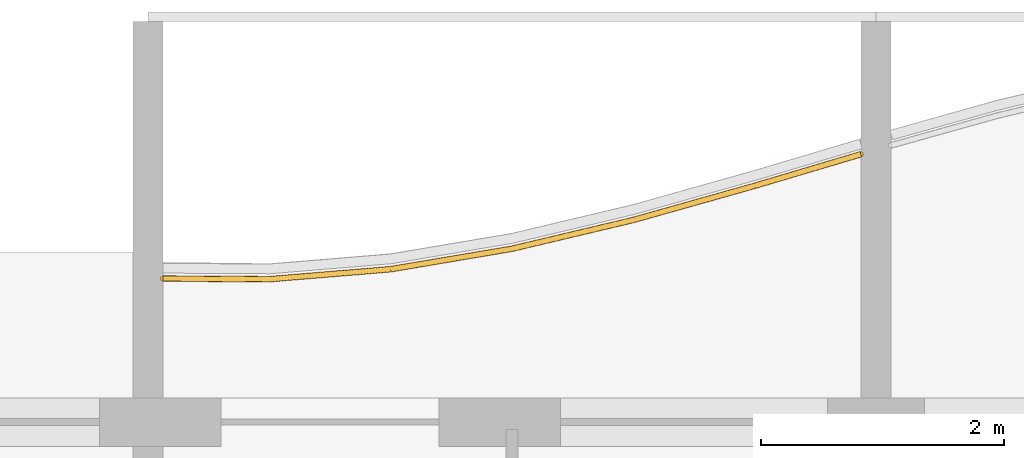
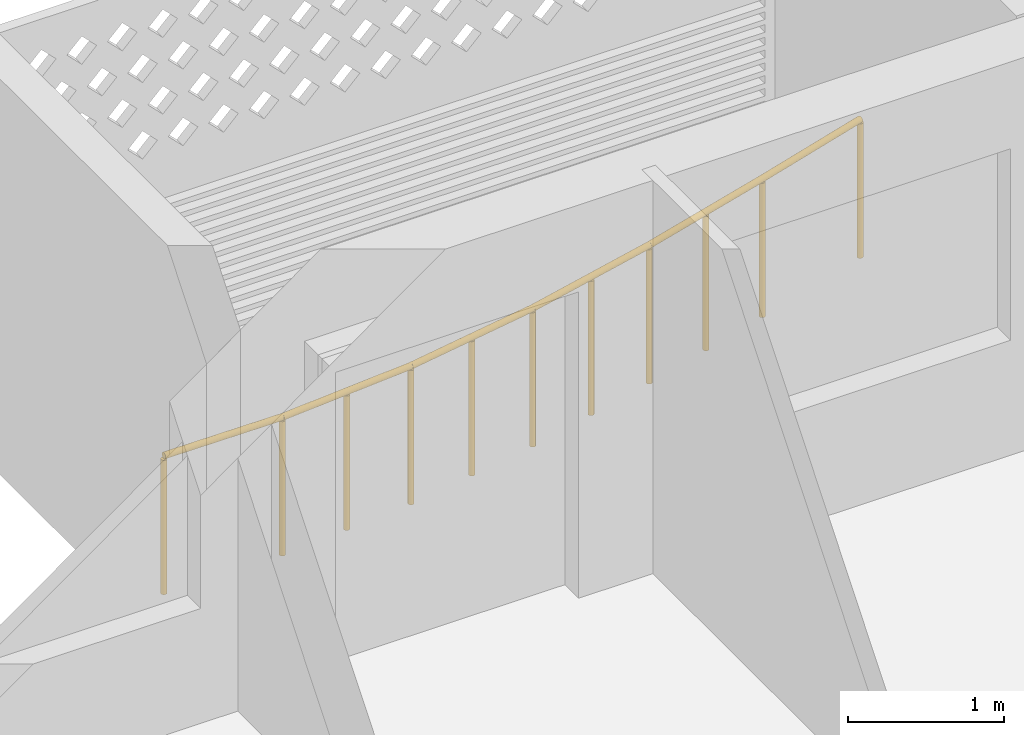
# One storey, part 23 of 26: 1 railing.
"""IFC4 building model written with IfcOpenShell, lengths in metres."""

from ifc_helpers import new_model, si_unit, direction, frame, origin, origin_2d, place, context, subcontext, project, spatial, circle, extrude, material, type_object, element, save


model = new_model("IFC4")

# Units and contexts
model_context = context("Model", 3, precision=1e-05, world=origin(), true_north=direction((0.0, 1.0)))
body_context = subcontext(model_context, "Body", "Model", "MODEL_VIEW")
ifc_project = project(units=[si_unit("LENGTHUNIT", "METRE"), si_unit("AREAUNIT", "SQUARE_METRE"), si_unit("VOLUMEUNIT", "CUBIC_METRE"), si_unit("PLANEANGLEUNIT", "RADIAN"), si_unit("MASSUNIT", "GRAM", prefix="KILO")], contexts=[model_context])

# Site, building, storey
site_placement = place(None, origin())
site = spatial("IfcSite", under=ifc_project, at=site_placement, CompositionType="ELEMENT")
building_placement = place(site_placement, origin())
building = spatial("IfcBuilding", under=site, at=building_placement, Name="Poui Terraces", CompositionType="ELEMENT")
storey_placement = place(building_placement, frame((0.0, 0.0, 171.89990234375)))
storey = spatial("IfcBuildingStorey", under=building, at=storey_placement, Name="L47", CompositionType="ELEMENT", Elevation=171.89990234375)

# Railing
ifc_material = material(Name="Painted steel fretwork", Category="steel")
railing_type = type_object("IfcRailingType", Name="BALCONY GUARD 1100", PredefinedType="GUARDRAIL", material=ifc_material)
railing_placement = place(storey_placement, frame((66.125, 42.382080078125, 0.0)))
element("IfcRailing", 1, at=railing_placement, inside=storey, type_object=railing_type, Name="BALCONY GUARD", PredefinedType="GUARDRAIL", context=body_context, shape_type="SweptSolid", body=[
    extrude(circle(Radius=0.02392578125, at=origin_2d()), frame((0.0, 0.0, 1.076171875), z_axis=(0.999981160599, -0.006138277213, 0.0), x_axis=(0.006138277213, 0.999981160599, 0.0)), (0.0, 0.0, 1.0), 0.875),
    extrude(circle(Radius=0.02392578125, at=origin_2d()), frame((0.875, -0.00537109375, 1.076171875), z_axis=(0.99661255374, 0.082240000773, 0.0), x_axis=(-0.082240000773, 0.99661255374, 0.0)), (0.0, 0.0, 1.0), 1.00341796875),
    extrude(circle(Radius=0.02392578125, at=origin_2d()), frame((1.875, 0.0771484375, 1.076171875), z_axis=(0.986066669641, 0.166350602715, 0.0), x_axis=(-0.166350602715, 0.986066669641, 0.0)), (0.0, 0.0, 1.0), 1.01416015625),
    extrude(circle(Radius=0.02392578125, at=origin_2d()), frame((2.875, 0.245849609375, 1.076171875), z_axis=(0.973032599544, 0.230667640175, 0.0), x_axis=(-0.230667640175, 0.973032599544, 0.0)), (0.0, 0.0, 1.0), 1.02783203125),
    extrude(circle(Radius=0.02392578125, at=origin_2d()), frame((3.875, 0.48291015625, 1.076171875), z_axis=(0.962589664763, 0.270963350457, 0.0), x_axis=(-0.270963350457, 0.962589664763, 0.0)), (0.0, 0.0, 1.0), 1.038818359375),
    extrude(circle(Radius=0.02392578125, at=origin_2d()), frame((4.875, 0.764404296875, 1.076171875), z_axis=(0.958573864065, 0.28484407512, 0.0), x_axis=(-0.28484407512, 0.958573864065, 0.0)), (0.0, 0.0, 1.0), 0.912841796875),
    extrude(circle(Radius=0.02099609375, at=origin_2d()), origin(), (0.0, 0.0, 1.0), 1.052001953125),
    extrude(circle(Radius=0.02099609375, at=origin_2d()), frame((0.875, -0.00537109375, 0.0)), (0.0, 0.0, 1.0), 1.052001953125),
    extrude(circle(Radius=0.02099609375, at=origin_2d()), frame((1.375, 0.035888671875, 0.0)), (0.0, 0.0, 1.0), 1.052001953125),
    extrude(circle(Radius=0.02099609375, at=origin_2d()), frame((1.875, 0.0771484375, 0.0)), (0.0, 0.0, 1.0), 1.052001953125),
    extrude(circle(Radius=0.02099609375, at=origin_2d()), frame((2.375, 0.16162109375, 0.0)), (0.0, 0.0, 1.0), 1.052001953125),
    extrude(circle(Radius=0.02099609375, at=origin_2d()), frame((2.875, 0.245849609375, 0.0)), (0.0, 0.0, 1.0), 1.052001953125),
    extrude(circle(Radius=0.02099609375, at=origin_2d()), frame((3.375, 0.3642578125, 0.0)), (0.0, 0.0, 1.0), 1.052001953125),
    extrude(circle(Radius=0.02099609375, at=origin_2d()), frame((3.875, 0.48291015625, 0.0)), (0.0, 0.0, 1.0), 1.052001953125),
    extrude(circle(Radius=0.02099609375, at=origin_2d()), frame((4.375, 0.62353515625, 0.0)), (0.0, 0.0, 1.0), 1.052001953125),
    extrude(circle(Radius=0.02099609375, at=origin_2d()), frame((4.875, 0.764404296875, 0.0)), (0.0, 0.0, 1.0), 1.052001953125),
    extrude(circle(Radius=0.02099609375, at=origin_2d()), frame((5.75, 1.0244140625, 0.0)), (0.0, 0.0, 1.0), 1.052001953125),
])

save(model, "model.ifc")
